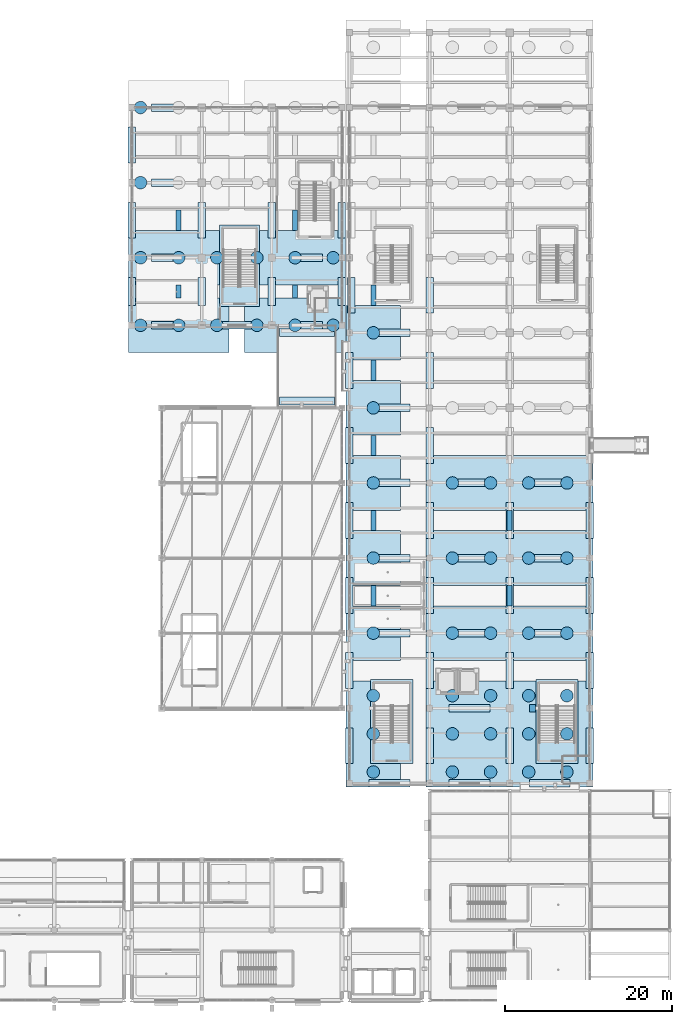
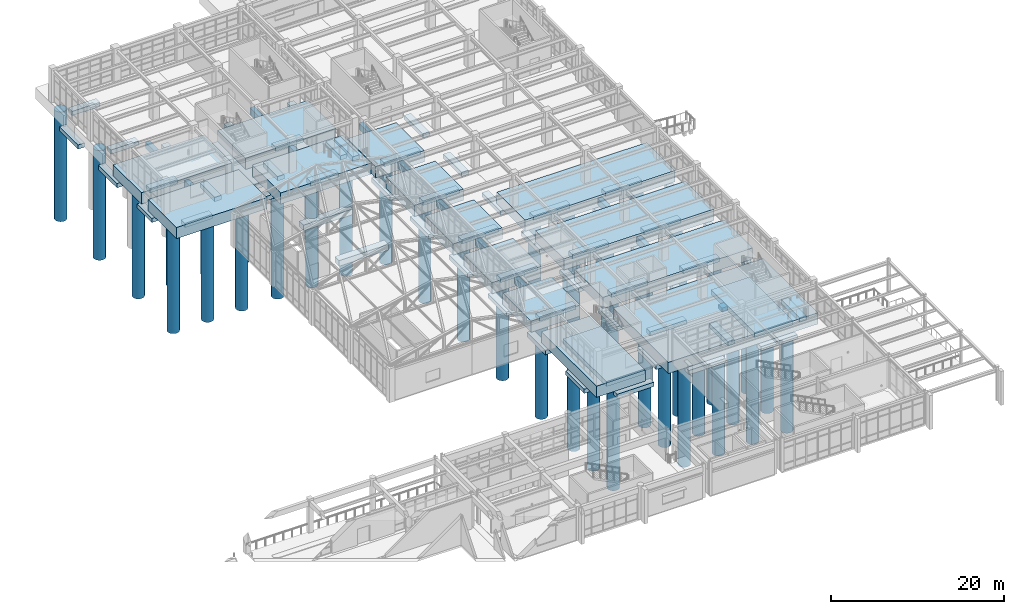
# One storey, part 1 of 139: 84 footings, 46 piles.
"""IFC4 building model written with IfcOpenShell, lengths in metres."""

from ifc_helpers import new_model, si_unit, direction, frame, origin, origin_2d, place, context, subcontext, project, spatial, rectangle, circle, extrude, material, material_profile, profile_set, type_object, element, save


model = new_model("IFC4")

# Units and contexts
model_context = context("Model", 3, precision=1e-05, world=origin(), true_north=direction((0.0, 1.0)))
body_context = subcontext(model_context, "Body", "Model", "MODEL_VIEW")
ifc_project = project(units=[si_unit("LENGTHUNIT", "METRE"), si_unit("AREAUNIT", "SQUARE_METRE"), si_unit("VOLUMEUNIT", "CUBIC_METRE"), si_unit("PLANEANGLEUNIT", "RADIAN"), si_unit("MASSUNIT", "GRAM", prefix="KILO")], contexts=[model_context])

# Site, building, storey
site_placement = place(None, origin())
site = spatial("IfcSite", under=ifc_project, at=site_placement, CompositionType="ELEMENT")
building_placement = place(site_placement, origin())
building = spatial("IfcBuilding", under=site, at=building_placement, Name="Canglan Escarpment Cableway Terminal", CompositionType="ELEMENT")
storey_placement = place(building_placement, frame((0.0, 0.0, 14.39990234375)))
storey = spatial("IfcBuildingStorey", under=building, at=storey_placement, Name="L03", CompositionType="ELEMENT", Elevation=14.39990234375)

# Footings
ifc_material = material(Name="Concrete C40", Category="concrete")
ifc_material_profile_1 = material_profile(ifc_material, rectangle(XDim=0.60009765625, YDim=0.89990234375, at=origin_2d()), Name="FB 600x900")
ifc_profile_set_1 = profile_set([ifc_material_profile_1], Name="Concrete C40")
footing_type_1 = type_object("IfcFootingType", Name="FTG-BEAM-600x900", PredefinedType="FOOTING_BEAM", material=ifc_profile_set_1)
footing_1_placement = place(storey_placement, frame((117.12841796875, 92.178955078125, -0.75), z_axis=(0.0, 1.0, 0.0), x_axis=(-1.0, 0.0, 0.0)))
element("IfcFooting", 1, at=footing_1_placement, inside=storey, type_object=footing_type_1, Name="Reinforced concrete ground tie beam FB-02", PredefinedType="FOOTING_BEAM", context=body_context, shape_type="SweptSolid", body=[
    extrude(rectangle(XDim=0.60009765625, YDim=0.89990234375, at=origin_2d()), origin(), (0.0, 0.0, 1.0), 1.5419921875),
])
footing_2_placement = place(storey_placement, frame((117.12841796875, 100.279052734375, -0.75), z_axis=(0.0, 1.0, 0.0), x_axis=(-1.0, 0.0, 0.0)))
element("IfcFooting", 2, at=footing_2_placement, inside=storey, type_object=footing_type_1, Name="Reinforced concrete ground tie beam FB-02", PredefinedType="FOOTING_BEAM", context=body_context, shape_type="SweptSolid", body=[
    extrude(rectangle(XDim=0.60009765625, YDim=0.89990234375, at=origin_2d()), origin(), (0.0, 0.0, 1.0), 2.44189453125),
])
footing_3_placement = place(storey_placement, frame((131.071533203125, 92.178955078125, -0.75), z_axis=(0.0, 1.0, 0.0), x_axis=(-1.0, 0.0, 0.0)))
element("IfcFooting", 3, at=footing_3_placement, inside=storey, type_object=footing_type_1, Name="Reinforced concrete ground tie beam FB-02", PredefinedType="FOOTING_BEAM", context=body_context, shape_type="SweptSolid", body=[
    extrude(rectangle(XDim=0.60009765625, YDim=0.89990234375, at=origin_2d()), origin(), (0.0, 0.0, 1.0), 1.5419921875),
])
for number, where, z_axis, x_axis, name in (
    (4, (131.071533203125, 100.279052734375, -0.75), (0.0, 1.0, 0.0), (-1.0, 0.0, 0.0), "Reinforced concrete ground tie beam FB-02"),
    (5, (140.45703125, 55.279052734375, -0.75), (0.0, 1.0, 0.0), (-1.0, 0.0, 0.0), "Reinforced concrete ground tie beam FB-02"),
    (6, (140.45703125, 64.279052734375, -0.75), (0.0, 1.0, 0.0), (-1.0, 0.0, 0.0), "Reinforced concrete ground tie beam FB-02"),
    (7, (140.45703125, 73.279052734375, -0.75), (0.0, 1.0, 0.0), (-1.0, 0.0, 0.0), "Reinforced concrete ground tie beam FB-02"),
    (8, (140.45703125, 82.279052734375, -0.75), (0.0, 1.0, 0.0), (-1.0, 0.0, 0.0), "Reinforced concrete ground tie beam FB-02"),
    (9, (140.45703125, 91.279052734375, -0.75), (0.0, 1.0, 0.0), (-1.0, 0.0, 0.0), "Reinforced concrete ground tie beam FB-02"),
    (10, (156.800048828125, 55.279052734375, -0.75), (0.0, 1.0, 0.0), (-1.0, 0.0, 0.0), "Reinforced concrete ground tie beam FB-02"),
    (11, (156.800048828125, 64.279052734375, -0.75), (0.0, 1.0, 0.0), (-1.0, 0.0, 0.0), "Reinforced concrete ground tie beam FB-02"),
):
    element("IfcFooting", number, at=place(storey_placement, frame(where, z_axis=z_axis, x_axis=x_axis)), inside=storey, type_object=footing_type_1, Name=name, PredefinedType="FOOTING_BEAM", context=body_context, shape_type="SweptSolid", body=[
        extrude(rectangle(XDim=0.60009765625, YDim=0.89990234375, at=origin_2d()), origin(), (0.0, 0.0, 1.0), 2.44189453125),
    ])
footing_type_2 = type_object("IfcFootingType", Name="FTG-CAP-12097x6554x1580", PredefinedType="PILE_CAP", material=ifc_material)
for number, where, z_axis, x_axis, name in (
    (12, (117.12841796875, 88.89990234375, -1.579833984375), (0.0, 0.0, 1.0), (1.0, 0.0, 0.0), "Reinforced concrete pile cap PC-10"),
    (13, (117.12841796875, 97.0, -1.579833984375), (0.0, 0.0, 1.0), (1.0, 0.0, 0.0), "Reinforced concrete pile cap PC-10"),
    (14, (131.071533203125, 88.89990234375, -1.579833984375), (0.0, 0.0, 1.0), (1.0, 0.0, 0.0), "Reinforced concrete pile cap PC-10"),
    (15, (131.071533203125, 97.0, -1.579833984375), (0.0, 0.0, 1.0), (1.0, 0.0, 0.0), "Reinforced concrete pile cap PC-10"),
):
    element("IfcFooting", number, at=place(storey_placement, frame(where, z_axis=z_axis, x_axis=x_axis)), inside=storey, type_object=footing_type_2, Name=name, PredefinedType="PILE_CAP", context=body_context, shape_type="SweptSolid", body=[
        extrude(rectangle(XDim=12.096923828125, YDim=6.553955078125, at=origin_2d()), origin(), (0.0, 0.0, 1.0), 1.580078125),
    ])
footing_type_3 = type_object("IfcFootingType", Name="FTG-CAP-20040x12697x1580", PredefinedType="PILE_CAP", material=ifc_material)
footing_4_placement = place(storey_placement, frame((156.800048828125, 39.928466796875, -1.579833984375), z_axis=(0.0, 0.0, 1.0), x_axis=(1.0, 0.0, 0.0)))
element("IfcFooting", 16, at=footing_4_placement, inside=storey, type_object=footing_type_3, Name="Reinforced concrete pile cap PC-13", PredefinedType="PILE_CAP", context=body_context, shape_type="SweptSolid", body=[
    extrude(rectangle(XDim=20.0400390625, YDim=12.697021484375, at=origin_2d()), origin(), (0.0, 0.0, 1.0), 1.580078125),
])
footing_type_4 = type_object("IfcFootingType", Name="FTG-CAP-20040x6554x1580", PredefinedType="PILE_CAP", material=ifc_material)
for number, where, z_axis, x_axis, name in (
    (17, (156.800048828125, 52.0, -1.579833984375), (0.0, 0.0, 1.0), (1.0, 0.0, 0.0), "Reinforced concrete pile cap PC-14"),
    (18, (156.800048828125, 61.0, -1.579833984375), (0.0, 0.0, 1.0), (1.0, 0.0, 0.0), "Reinforced concrete pile cap PC-14"),
    (19, (156.800048828125, 70.0, -1.579833984375), (0.0, 0.0, 1.0), (1.0, 0.0, 0.0), "Reinforced concrete pile cap PC-14"),
):
    element("IfcFooting", number, at=place(storey_placement, frame(where, z_axis=z_axis, x_axis=x_axis)), inside=storey, type_object=footing_type_4, Name=name, PredefinedType="PILE_CAP", context=body_context, shape_type="SweptSolid", body=[
        extrude(rectangle(XDim=20.0400390625, YDim=6.553955078125, at=origin_2d()), origin(), (0.0, 0.0, 1.0), 1.580078125),
    ])
footing_type_5 = type_object("IfcFootingType", Name="FTG-CAP-6554x12697x1580", PredefinedType="PILE_CAP", material=ifc_material)
footing_5_placement = place(storey_placement, frame((140.45703125, 39.928466796875, -1.579833984375), z_axis=(0.0, 0.0, 1.0), x_axis=(1.0, 0.0, 0.0)))
element("IfcFooting", 20, at=footing_5_placement, inside=storey, type_object=footing_type_5, Name="Reinforced concrete pile cap PC-11", PredefinedType="PILE_CAP", context=body_context, shape_type="SweptSolid", body=[
    extrude(rectangle(XDim=6.553955078125, YDim=12.697021484375, at=origin_2d()), origin(), (0.0, 0.0, 1.0), 1.580078125),
])
footing_type_6 = type_object("IfcFootingType", Name="FTG-CAP-6554x6554x1580", PredefinedType="PILE_CAP", material=ifc_material)
for number, where, z_axis, x_axis, name in (
    (21, (140.45703125, 52.0, -1.579833984375), (0.0, 0.0, 1.0), (1.0, 0.0, 0.0), "Reinforced concrete pile cap PC-12"),
    (22, (140.45703125, 61.0, -1.579833984375), (0.0, 0.0, 1.0), (1.0, 0.0, 0.0), "Reinforced concrete pile cap PC-12"),
    (23, (140.45703125, 70.0, -1.579833984375), (0.0, 0.0, 1.0), (1.0, 0.0, 0.0), "Reinforced concrete pile cap PC-12"),
    (24, (140.45703125, 79.0, -1.579833984375), (0.0, 0.0, 1.0), (1.0, 0.0, 0.0), "Reinforced concrete pile cap PC-12"),
    (25, (140.45703125, 88.0, -1.579833984375), (0.0, 0.0, 1.0), (1.0, 0.0, 0.0), "Reinforced concrete pile cap PC-12"),
):
    element("IfcFooting", number, at=place(storey_placement, frame(where, z_axis=z_axis, x_axis=x_axis)), inside=storey, type_object=footing_type_6, Name=name, PredefinedType="PILE_CAP", context=body_context, shape_type="SweptSolid", body=[
        extrude(rectangle(XDim=6.553955078125, YDim=6.553955078125, at=origin_2d()), origin(), (0.0, 0.0, 1.0), 1.580078125),
    ])
footing_type_7 = type_object("IfcFootingType", Name="FTG-PAD-4790x9740x700", PredefinedType="PAD_FOOTING", material=ifc_material)
footing_6_placement = place(storey_placement, frame((124.425048828125, 96.050048828125, -2.7998046875), z_axis=(0.0, 0.0, 1.0), x_axis=(1.0, 0.0, 0.0)))
element("IfcFooting", 26, at=footing_6_placement, inside=storey, type_object=footing_type_7, Name="Reinforced concrete auxiliary pad footing PF-08", PredefinedType="PAD_FOOTING", context=body_context, shape_type="SweptSolid", body=[
    extrude(rectangle(XDim=4.7900390625, YDim=9.739990234375, at=origin_2d()), origin(), (0.0, 0.0, 1.0), 0.699951171875),
])
footing_type_8 = type_object("IfcFootingType", Name="FTG-PAD-5090x10040x700", PredefinedType="PAD_FOOTING", material=ifc_material)
for number, where, z_axis, x_axis, name in (
    (27, (142.675048828125, 41.39990234375, -2.7998046875), (0.0, 0.0, 1.0), (1.0, 0.0, 0.0), "Reinforced concrete auxiliary pad footing PF-10"),
    (28, (162.47509765625, 41.39990234375, -2.7998046875), (0.0, 0.0, 1.0), (1.0, 0.0, 0.0), "Reinforced concrete auxiliary pad footing PF-10"),
):
    element("IfcFooting", number, at=place(storey_placement, frame(where, z_axis=z_axis, x_axis=x_axis)), inside=storey, type_object=footing_type_8, Name=name, PredefinedType="PAD_FOOTING", context=body_context, shape_type="SweptSolid", body=[
        extrude(rectangle(XDim=5.090087890625, YDim=10.0400390625, at=origin_2d()), origin(), (0.0, 0.0, 1.0), 0.699951171875),
    ])
footing_type_9 = type_object("IfcFootingType", Name="FTG-PAD-6600x1000x800", PredefinedType="PAD_FOOTING", material=ifc_material)
for number, where, z_axis, x_axis, name in (
    (29, (132.5, 79.820068359375, -8.0), (0.0, 0.0, 1.0), (1.0, 0.0, 0.0), "Reinforced concrete auxiliary pad footing PF-03"),
    (30, (132.5, 88.080078125, -8.0), (0.0, 0.0, 1.0), (1.0, 0.0, 0.0), "Reinforced concrete auxiliary pad footing PF-03"),
):
    element("IfcFooting", number, at=place(storey_placement, frame(where, z_axis=z_axis, x_axis=x_axis)), inside=storey, type_object=footing_type_9, Name=name, PredefinedType="PAD_FOOTING", context=body_context, shape_type="SweptSolid", body=[
        extrude(rectangle(XDim=6.60009765625, YDim=1.0, at=origin_2d()), origin(), (0.0, 0.0, 1.0), 0.800048828125),
    ])
ifc_material_profile_2 = material_profile(ifc_material, rectangle(XDim=0.89990234375, YDim=0.60009765625, at=origin_2d()), Name="SF 900x600")
ifc_profile_set_2 = profile_set([ifc_material_profile_2], Name="Concrete C40")
footing_type_10 = type_object("IfcFootingType", Name="FTG-STRIP-900x600", PredefinedType="STRIP_FOOTING", material=ifc_profile_set_2)
for number, where, z_axis, x_axis, name in (
    (31, (113.85009765625, 88.89990234375, -2.39990234375), (1.0, 0.0, 0.0), (0.0, 1.0, 0.0), "Bench foundation strip footing SF-F1"),
    (32, (122.25, 88.89990234375, -2.39990234375), (1.0, 0.0, 0.0), (0.0, 1.0, 0.0), "Bench foundation strip footing SF-F1"),
):
    element("IfcFooting", number, at=place(storey_placement, frame(where, z_axis=z_axis, x_axis=x_axis)), inside=storey, type_object=footing_type_10, Name=name, PredefinedType="STRIP_FOOTING", context=body_context, shape_type="SweptSolid", body=[
        extrude(rectangle(XDim=0.89990234375, YDim=0.60009765625, at=origin_2d()), origin(), (0.0, 0.0, 1.0), 3.699951171875),
    ])
footing_7_placement = place(storey_placement, frame((130.64990234375, 88.89990234375, -2.39990234375), z_axis=(1.0, 0.0, 0.0), x_axis=(0.0, 1.0, 0.0)))
element("IfcFooting", 33, at=footing_7_placement, inside=storey, type_object=footing_type_10, Name="Bench foundation strip footing SF-F1", PredefinedType="STRIP_FOOTING", context=body_context, shape_type="SweptSolid", body=[
    extrude(rectangle(XDim=0.89990234375, YDim=0.60009765625, at=origin_2d()), origin(), (0.0, 0.0, 1.0), 3.7001953125),
])
footing_8_placement = place(storey_placement, frame((113.85009765625, 97.0, -2.39990234375), z_axis=(1.0, 0.0, 0.0), x_axis=(0.0, 1.0, 0.0)))
element("IfcFooting", 34, at=footing_8_placement, inside=storey, type_object=footing_type_10, Name="Bench foundation strip footing SF-F1", PredefinedType="STRIP_FOOTING", context=body_context, shape_type="SweptSolid", body=[
    extrude(rectangle(XDim=0.89990234375, YDim=0.60009765625, at=origin_2d()), origin(), (0.0, 0.0, 1.0), 3.699951171875),
])
footing_9_placement = place(storey_placement, frame((130.64990234375, 97.0, -2.39990234375), z_axis=(1.0, 0.0, 0.0), x_axis=(0.0, 1.0, 0.0)))
element("IfcFooting", 35, at=footing_9_placement, inside=storey, type_object=footing_type_10, Name="Bench foundation strip footing SF-F1", PredefinedType="STRIP_FOOTING", context=body_context, shape_type="SweptSolid", body=[
    extrude(rectangle(XDim=0.89990234375, YDim=0.60009765625, at=origin_2d()), origin(), (0.0, 0.0, 1.0), 3.7001953125),
])
for number, where, z_axis, x_axis, name in (
    (36, (113.85009765625, 106.0, -2.39990234375), (1.0, 0.0, 0.0), (0.0, 1.0, 0.0), "Bench foundation strip footing SF-F1"),
    (37, (113.85009765625, 115.0, -2.39990234375), (1.0, 0.0, 0.0), (0.0, 1.0, 0.0), "Bench foundation strip footing SF-F1"),
):
    element("IfcFooting", number, at=place(storey_placement, frame(where, z_axis=z_axis, x_axis=x_axis)), inside=storey, type_object=footing_type_10, Name=name, PredefinedType="STRIP_FOOTING", context=body_context, shape_type="SweptSolid", body=[
        extrude(rectangle(XDim=0.89990234375, YDim=0.60009765625, at=origin_2d()), origin(), (0.0, 0.0, 1.0), 3.699951171875),
    ])
footing_10_placement = place(storey_placement, frame((111.5, 91.25, -2.39990234375), z_axis=(0.0, 1.0, 0.0), x_axis=(-1.0, 0.0, 0.0)))
element("IfcFooting", 38, at=footing_10_placement, inside=storey, type_object=footing_type_10, Name="Bench foundation strip footing SF-F1", PredefinedType="STRIP_FOOTING", context=body_context, shape_type="SweptSolid", body=[
    extrude(rectangle(XDim=0.89990234375, YDim=0.60009765625, at=origin_2d()), origin(), (0.0, 0.0, 1.0), 3.39990234375),
])
for number, where, z_axis, x_axis, name in (
    (39, (111.5, 99.35009765625, -2.39990234375), (0.0, 1.0, 0.0), (-1.0, 0.0, 0.0), "Bench foundation strip footing SF-F1"),
    (40, (111.5, 108.35009765625, -2.39990234375), (0.0, 1.0, 0.0), (-1.0, 0.0, 0.0), "Bench foundation strip footing SF-F1"),
):
    element("IfcFooting", number, at=place(storey_placement, frame(where, z_axis=z_axis, x_axis=x_axis)), inside=storey, type_object=footing_type_10, Name=name, PredefinedType="STRIP_FOOTING", context=body_context, shape_type="SweptSolid", body=[
        extrude(rectangle(XDim=0.89990234375, YDim=0.60009765625, at=origin_2d()), origin(), (0.0, 0.0, 1.0), 4.2998046875),
    ])
footing_11_placement = place(storey_placement, frame((119.89990234375, 91.25, -2.39990234375), z_axis=(0.0, 1.0, 0.0), x_axis=(-1.0, 0.0, 0.0)))
element("IfcFooting", 41, at=footing_11_placement, inside=storey, type_object=footing_type_10, Name="Bench foundation strip footing SF-F1", PredefinedType="STRIP_FOOTING", context=body_context, shape_type="SweptSolid", body=[
    extrude(rectangle(XDim=0.89990234375, YDim=0.60009765625, at=origin_2d()), origin(), (0.0, 0.0, 1.0), 3.39990234375),
])
footing_12_placement = place(storey_placement, frame((119.89990234375, 99.35009765625, -2.39990234375), z_axis=(0.0, 1.0, 0.0), x_axis=(-1.0, 0.0, 0.0)))
element("IfcFooting", 42, at=footing_12_placement, inside=storey, type_object=footing_type_10, Name="Bench foundation strip footing SF-F1", PredefinedType="STRIP_FOOTING", context=body_context, shape_type="SweptSolid", body=[
    extrude(rectangle(XDim=0.89990234375, YDim=0.60009765625, at=origin_2d()), origin(), (0.0, 0.0, 1.0), 4.2998046875),
])
footing_13_placement = place(storey_placement, frame((128.300048828125, 91.25, -2.39990234375), z_axis=(0.0, 1.0, 0.0), x_axis=(-1.0, 0.0, 0.0)))
element("IfcFooting", 43, at=footing_13_placement, inside=storey, type_object=footing_type_10, Name="Bench foundation strip footing SF-F1", PredefinedType="STRIP_FOOTING", context=body_context, shape_type="SweptSolid", body=[
    extrude(rectangle(XDim=0.89990234375, YDim=0.60009765625, at=origin_2d()), origin(), (0.0, 0.0, 1.0), 3.39990234375),
])
footing_14_placement = place(storey_placement, frame((128.300048828125, 99.35009765625, -2.39990234375), z_axis=(0.0, 1.0, 0.0), x_axis=(-1.0, 0.0, 0.0)))
element("IfcFooting", 44, at=footing_14_placement, inside=storey, type_object=footing_type_10, Name="Bench foundation strip footing SF-F1", PredefinedType="STRIP_FOOTING", context=body_context, shape_type="SweptSolid", body=[
    extrude(rectangle(XDim=0.89990234375, YDim=0.60009765625, at=origin_2d()), origin(), (0.0, 0.0, 1.0), 4.2998046875),
])
footing_15_placement = place(storey_placement, frame((136.699951171875, 91.25, -2.39990234375), z_axis=(0.0, 1.0, 0.0), x_axis=(-1.0, 0.0, 0.0)))
element("IfcFooting", 45, at=footing_15_placement, inside=storey, type_object=footing_type_10, Name="Bench foundation strip footing SF-F1", PredefinedType="STRIP_FOOTING", context=body_context, shape_type="SweptSolid", body=[
    extrude(rectangle(XDim=0.89990234375, YDim=0.60009765625, at=origin_2d()), origin(), (0.0, 0.0, 1.0), 3.39990234375),
])
footing_16_placement = place(storey_placement, frame((136.699951171875, 99.35009765625, -2.39990234375), z_axis=(0.0, 1.0, 0.0), x_axis=(-1.0, 0.0, 0.0)))
element("IfcFooting", 46, at=footing_16_placement, inside=storey, type_object=footing_type_10, Name="Bench foundation strip footing SF-F1", PredefinedType="STRIP_FOOTING", context=body_context, shape_type="SweptSolid", body=[
    extrude(rectangle(XDim=0.89990234375, YDim=0.60009765625, at=origin_2d()), origin(), (0.0, 0.0, 1.0), 4.2998046875),
])
footing_17_placement = place(storey_placement, frame((139.949951171875, 34.0, -2.39990234375), z_axis=(1.0, 0.0, 0.0), x_axis=(0.0, 1.0, 0.0)))
element("IfcFooting", 47, at=footing_17_placement, inside=storey, type_object=footing_type_10, Name="Bench foundation strip footing SF-F1", PredefinedType="STRIP_FOOTING", context=body_context, shape_type="SweptSolid", body=[
    extrude(rectangle(XDim=0.89990234375, YDim=0.60009765625, at=origin_2d()), origin(), (0.0, 0.0, 1.0), 4.900146484375),
])
footing_18_placement = place(storey_placement, frame((149.550048828125, 34.0, -2.39990234375), z_axis=(1.0, 0.0, 0.0), x_axis=(0.0, 1.0, 0.0)))
element("IfcFooting", 48, at=footing_18_placement, inside=storey, type_object=footing_type_10, Name="Bench foundation strip footing SF-F1", PredefinedType="STRIP_FOOTING", context=body_context, shape_type="SweptSolid", body=[
    extrude(rectangle(XDim=0.89990234375, YDim=0.60009765625, at=origin_2d()), origin(), (0.0, 0.0, 1.0), 4.89990234375),
])
footing_19_placement = place(storey_placement, frame((159.14990234375, 34.0, -2.39990234375), z_axis=(1.0, 0.0, 0.0), x_axis=(0.0, 1.0, 0.0)))
element("IfcFooting", 49, at=footing_19_placement, inside=storey, type_object=footing_type_10, Name="Bench foundation strip footing SF-F1", PredefinedType="STRIP_FOOTING", context=body_context, shape_type="SweptSolid", body=[
    extrude(rectangle(XDim=0.89990234375, YDim=0.60009765625, at=origin_2d()), origin(), (0.0, 0.0, 1.0), 4.900146484375),
])
footing_20_placement = place(storey_placement, frame((149.550048828125, 43.0, -2.39990234375), z_axis=(1.0, 0.0, 0.0), x_axis=(0.0, 1.0, 0.0)))
element("IfcFooting", 50, at=footing_20_placement, inside=storey, type_object=footing_type_10, Name="Bench foundation strip footing SF-F1", PredefinedType="STRIP_FOOTING", context=body_context, shape_type="SweptSolid", body=[
    extrude(rectangle(XDim=0.89990234375, YDim=0.60009765625, at=origin_2d()), origin(), (0.0, 0.0, 1.0), 4.89990234375),
])
footing_21_placement = place(storey_placement, frame((159.14990234375, 43.0, -2.39990234375), z_axis=(1.0, 0.0, 0.0), x_axis=(0.0, 1.0, 0.0)))
element("IfcFooting", 51, at=footing_21_placement, inside=storey, type_object=footing_type_10, Name="Bench foundation strip footing SF-F1", PredefinedType="STRIP_FOOTING", context=body_context, shape_type="SweptSolid", body=[
    extrude(rectangle(XDim=0.89990234375, YDim=0.60009765625, at=origin_2d()), origin(), (0.0, 0.0, 1.0), 0.77001953125),
])
footing_22_placement = place(storey_placement, frame((139.949951171875, 52.0, -2.39990234375), z_axis=(1.0, 0.0, 0.0), x_axis=(0.0, 1.0, 0.0)))
element("IfcFooting", 52, at=footing_22_placement, inside=storey, type_object=footing_type_10, Name="Bench foundation strip footing SF-F1", PredefinedType="STRIP_FOOTING", context=body_context, shape_type="SweptSolid", body=[
    extrude(rectangle(XDim=0.89990234375, YDim=0.60009765625, at=origin_2d()), origin(), (0.0, 0.0, 1.0), 4.900146484375),
])
footing_23_placement = place(storey_placement, frame((149.550048828125, 52.0, -2.39990234375), z_axis=(1.0, 0.0, 0.0), x_axis=(0.0, 1.0, 0.0)))
element("IfcFooting", 53, at=footing_23_placement, inside=storey, type_object=footing_type_10, Name="Bench foundation strip footing SF-F1", PredefinedType="STRIP_FOOTING", context=body_context, shape_type="SweptSolid", body=[
    extrude(rectangle(XDim=0.89990234375, YDim=0.60009765625, at=origin_2d()), origin(), (0.0, 0.0, 1.0), 4.89990234375),
])
for number, where, z_axis, x_axis, name in (
    (54, (159.14990234375, 52.0, -2.39990234375), (1.0, 0.0, 0.0), (0.0, 1.0, 0.0), "Bench foundation strip footing SF-F1"),
    (55, (139.949951171875, 61.0, -2.39990234375), (1.0, 0.0, 0.0), (0.0, 1.0, 0.0), "Bench foundation strip footing SF-F1"),
):
    element("IfcFooting", number, at=place(storey_placement, frame(where, z_axis=z_axis, x_axis=x_axis)), inside=storey, type_object=footing_type_10, Name=name, PredefinedType="STRIP_FOOTING", context=body_context, shape_type="SweptSolid", body=[
        extrude(rectangle(XDim=0.89990234375, YDim=0.60009765625, at=origin_2d()), origin(), (0.0, 0.0, 1.0), 4.900146484375),
    ])
footing_24_placement = place(storey_placement, frame((149.550048828125, 61.0, -2.39990234375), z_axis=(1.0, 0.0, 0.0), x_axis=(0.0, 1.0, 0.0)))
element("IfcFooting", 56, at=footing_24_placement, inside=storey, type_object=footing_type_10, Name="Bench foundation strip footing SF-F1", PredefinedType="STRIP_FOOTING", context=body_context, shape_type="SweptSolid", body=[
    extrude(rectangle(XDim=0.89990234375, YDim=0.60009765625, at=origin_2d()), origin(), (0.0, 0.0, 1.0), 4.89990234375),
])
for number, where, z_axis, x_axis, name in (
    (57, (159.14990234375, 61.0, -2.39990234375), (1.0, 0.0, 0.0), (0.0, 1.0, 0.0), "Bench foundation strip footing SF-F1"),
    (58, (139.949951171875, 70.0, -2.39990234375), (1.0, 0.0, 0.0), (0.0, 1.0, 0.0), "Bench foundation strip footing SF-F1"),
):
    element("IfcFooting", number, at=place(storey_placement, frame(where, z_axis=z_axis, x_axis=x_axis)), inside=storey, type_object=footing_type_10, Name=name, PredefinedType="STRIP_FOOTING", context=body_context, shape_type="SweptSolid", body=[
        extrude(rectangle(XDim=0.89990234375, YDim=0.60009765625, at=origin_2d()), origin(), (0.0, 0.0, 1.0), 4.900146484375),
    ])
footing_25_placement = place(storey_placement, frame((149.550048828125, 70.0, -2.39990234375), z_axis=(1.0, 0.0, 0.0), x_axis=(0.0, 1.0, 0.0)))
element("IfcFooting", 59, at=footing_25_placement, inside=storey, type_object=footing_type_10, Name="Bench foundation strip footing SF-F1", PredefinedType="STRIP_FOOTING", context=body_context, shape_type="SweptSolid", body=[
    extrude(rectangle(XDim=0.89990234375, YDim=0.60009765625, at=origin_2d()), origin(), (0.0, 0.0, 1.0), 4.89990234375),
])
for number, where, z_axis, x_axis, name in (
    (60, (159.14990234375, 70.0, -2.39990234375), (1.0, 0.0, 0.0), (0.0, 1.0, 0.0), "Bench foundation strip footing SF-F1"),
    (61, (139.949951171875, 79.0, -2.39990234375), (1.0, 0.0, 0.0), (0.0, 1.0, 0.0), "Bench foundation strip footing SF-F1"),
    (62, (139.949951171875, 88.0, -2.39990234375), (1.0, 0.0, 0.0), (0.0, 1.0, 0.0), "Bench foundation strip footing SF-F1"),
):
    element("IfcFooting", number, at=place(storey_placement, frame(where, z_axis=z_axis, x_axis=x_axis)), inside=storey, type_object=footing_type_10, Name=name, PredefinedType="STRIP_FOOTING", context=body_context, shape_type="SweptSolid", body=[
        extrude(rectangle(XDim=0.89990234375, YDim=0.60009765625, at=origin_2d()), origin(), (0.0, 0.0, 1.0), 4.900146484375),
    ])
for number, where, z_axis, x_axis, name in (
    (63, (137.60009765625, 36.35009765625, -2.39990234375), (0.0, 1.0, 0.0), (-1.0, 0.0, 0.0), "Bench foundation strip footing SF-F1"),
    (64, (137.60009765625, 45.35009765625, -2.39990234375), (0.0, 1.0, 0.0), (-1.0, 0.0, 0.0), "Bench foundation strip footing SF-F1"),
    (65, (137.60009765625, 54.35009765625, -2.39990234375), (0.0, 1.0, 0.0), (-1.0, 0.0, 0.0), "Bench foundation strip footing SF-F1"),
    (66, (137.60009765625, 63.35009765625, -2.39990234375), (0.0, 1.0, 0.0), (-1.0, 0.0, 0.0), "Bench foundation strip footing SF-F1"),
    (67, (137.60009765625, 72.35009765625, -2.39990234375), (0.0, 1.0, 0.0), (-1.0, 0.0, 0.0), "Bench foundation strip footing SF-F1"),
    (68, (137.60009765625, 81.35009765625, -2.39990234375), (0.0, 1.0, 0.0), (-1.0, 0.0, 0.0), "Bench foundation strip footing SF-F1"),
    (69, (137.820068359375, 90.35009765625, -2.39990234375), (0.0, 1.0, 0.0), (-1.0, 0.0, 0.0), "Bench foundation strip footing SF-F1"),
    (70, (147.199951171875, 36.35009765625, -2.39990234375), (0.0, 1.0, 0.0), (-1.0, 0.0, 0.0), "Bench foundation strip footing SF-F1"),
    (71, (147.199951171875, 45.35009765625, -2.39990234375), (0.0, 1.0, 0.0), (-1.0, 0.0, 0.0), "Bench foundation strip footing SF-F1"),
    (72, (147.199951171875, 54.35009765625, -2.39990234375), (0.0, 1.0, 0.0), (-1.0, 0.0, 0.0), "Bench foundation strip footing SF-F1"),
    (73, (147.199951171875, 63.35009765625, -2.39990234375), (0.0, 1.0, 0.0), (-1.0, 0.0, 0.0), "Bench foundation strip footing SF-F1"),
    (74, (147.199951171875, 72.35009765625, -2.39990234375), (0.0, 1.0, 0.0), (-1.0, 0.0, 0.0), "Bench foundation strip footing SF-F1"),
    (75, (147.199951171875, 81.35009765625, -2.39990234375), (0.0, 1.0, 0.0), (-1.0, 0.0, 0.0), "Bench foundation strip footing SF-F1"),
    (76, (147.199951171875, 90.35009765625, -2.39990234375), (0.0, 1.0, 0.0), (-1.0, 0.0, 0.0), "Bench foundation strip footing SF-F1"),
    (77, (156.800048828125, 36.35009765625, -2.39990234375), (0.0, 1.0, 0.0), (-1.0, 0.0, 0.0), "Bench foundation strip footing SF-F1"),
    (78, (156.800048828125, 45.35009765625, -2.39990234375), (0.0, 1.0, 0.0), (-1.0, 0.0, 0.0), "Bench foundation strip footing SF-F1"),
    (79, (156.800048828125, 54.35009765625, -2.39990234375), (0.0, 1.0, 0.0), (-1.0, 0.0, 0.0), "Bench foundation strip footing SF-F1"),
    (80, (156.800048828125, 63.35009765625, -2.39990234375), (0.0, 1.0, 0.0), (-1.0, 0.0, 0.0), "Bench foundation strip footing SF-F1"),
    (81, (166.39990234375, 36.35009765625, -2.39990234375), (0.0, 1.0, 0.0), (-1.0, 0.0, 0.0), "Bench foundation strip footing SF-F1"),
    (82, (166.39990234375, 45.35009765625, -2.39990234375), (0.0, 1.0, 0.0), (-1.0, 0.0, 0.0), "Bench foundation strip footing SF-F1"),
    (83, (166.39990234375, 54.35009765625, -2.39990234375), (0.0, 1.0, 0.0), (-1.0, 0.0, 0.0), "Bench foundation strip footing SF-F1"),
    (84, (166.39990234375, 63.35009765625, -2.39990234375), (0.0, 1.0, 0.0), (-1.0, 0.0, 0.0), "Bench foundation strip footing SF-F1"),
):
    element("IfcFooting", number, at=place(storey_placement, frame(where, z_axis=z_axis, x_axis=x_axis)), inside=storey, type_object=footing_type_10, Name=name, PredefinedType="STRIP_FOOTING", context=body_context, shape_type="SweptSolid", body=[
        extrude(rectangle(XDim=0.89990234375, YDim=0.60009765625, at=origin_2d()), origin(), (0.0, 0.0, 1.0), 4.2998046875),
    ])

# Piles
ifc_material_profile_3 = material_profile(ifc_material, circle(Radius=0.75, at=origin_2d()), Name="BORED PILE D1500")
ifc_profile_set_3 = profile_set([ifc_material_profile_3], Name="Concrete C40")
pile_type = type_object("IfcPileType", Name="PILE-D1500", PredefinedType="BORED", material=ifc_profile_set_3)
for number, where, z_axis, x_axis, name in (
    (85, (112.553466796875, 88.89990234375, -1.47998046875), (0.0, 0.0, -1.0), (1.0, 0.0, 0.0), "Rock-socketed bored pile P-05"),
    (86, (117.12841796875, 88.89990234375, -1.47998046875), (0.0, 0.0, -1.0), (1.0, 0.0, 0.0), "Rock-socketed bored pile P-05"),
    (87, (121.70361328125, 88.89990234375, -1.47998046875), (0.0, 0.0, -1.0), (1.0, 0.0, 0.0), "Rock-socketed bored pile P-05"),
    (88, (112.553466796875, 97.0, -1.47998046875), (0.0, 0.0, -1.0), (1.0, 0.0, 0.0), "Rock-socketed bored pile P-05"),
    (89, (117.12841796875, 97.0, -1.47998046875), (0.0, 0.0, -1.0), (1.0, 0.0, 0.0), "Rock-socketed bored pile P-05"),
    (90, (121.70361328125, 97.0, -1.47998046875), (0.0, 0.0, -1.0), (1.0, 0.0, 0.0), "Rock-socketed bored pile P-05"),
    (91, (112.553466796875, 106.0, -1.47998046875), (0.0, 0.0, -1.0), (1.0, 0.0, 0.0), "Rock-socketed bored pile P-05"),
    (92, (112.553466796875, 115.0, -1.47998046875), (0.0, 0.0, -1.0), (1.0, 0.0, 0.0), "Rock-socketed bored pile P-05"),
    (93, (126.49658203125, 88.89990234375, -1.47998046875), (0.0, 0.0, -1.0), (1.0, 0.0, 0.0), "Rock-socketed bored pile P-05"),
    (94, (131.071533203125, 88.89990234375, -1.47998046875), (0.0, 0.0, -1.0), (1.0, 0.0, 0.0), "Rock-socketed bored pile P-05"),
    (95, (135.646484375, 88.89990234375, -1.47998046875), (0.0, 0.0, -1.0), (1.0, 0.0, 0.0), "Rock-socketed bored pile P-05"),
    (96, (126.49658203125, 97.0, -1.47998046875), (0.0, 0.0, -1.0), (1.0, 0.0, 0.0), "Rock-socketed bored pile P-05"),
    (97, (131.071533203125, 97.0, -1.47998046875), (0.0, 0.0, -1.0), (1.0, 0.0, 0.0), "Rock-socketed bored pile P-05"),
    (98, (135.646484375, 97.0, -1.47998046875), (0.0, 0.0, -1.0), (1.0, 0.0, 0.0), "Rock-socketed bored pile P-05"),
):
    element("IfcPile", number, at=place(storey_placement, frame(where, z_axis=z_axis, x_axis=x_axis)), inside=storey, type_object=pile_type, Name=name, PredefinedType="BORED", context=body_context, shape_type="SweptSolid", body=[
        extrude(circle(Radius=0.75, at=origin_2d()), origin(), (0.0, 0.0, 1.0), 15.5),
    ])
for number, where, z_axis, x_axis, name in (
    (99, (140.45703125, 35.353515625, -1.47998046875), (0.0, 0.0, -1.0), (1.0, 0.0, 0.0), "Rock-socketed bored pile P-05"),
    (100, (140.45703125, 39.928466796875, -1.47998046875), (0.0, 0.0, -1.0), (1.0, 0.0, 0.0), "Rock-socketed bored pile P-05"),
    (101, (140.45703125, 44.50341796875, -1.47998046875), (0.0, 0.0, -1.0), (1.0, 0.0, 0.0), "Rock-socketed bored pile P-05"),
    (102, (140.45703125, 52.0, -1.47998046875), (0.0, 0.0, -1.0), (1.0, 0.0, 0.0), "Rock-socketed bored pile P-05"),
    (103, (140.45703125, 61.0, -1.47998046875), (0.0, 0.0, -1.0), (1.0, 0.0, 0.0), "Rock-socketed bored pile P-05"),
    (104, (140.45703125, 70.0, -1.47998046875), (0.0, 0.0, -1.0), (1.0, 0.0, 0.0), "Rock-socketed bored pile P-05"),
    (105, (140.45703125, 79.0, -1.47998046875), (0.0, 0.0, -1.0), (1.0, 0.0, 0.0), "Rock-socketed bored pile P-05"),
    (106, (140.45703125, 88.0, -1.47998046875), (0.0, 0.0, -1.0), (1.0, 0.0, 0.0), "Rock-socketed bored pile P-05"),
    (107, (149.9375, 35.353515625, -1.47998046875), (0.0, 0.0, -1.0), (1.0, 0.0, 0.0), "Rock-socketed bored pile P-05"),
    (108, (149.9375, 39.928466796875, -1.47998046875), (0.0, 0.0, -1.0), (1.0, 0.0, 0.0), "Rock-socketed bored pile P-05"),
    (109, (149.9375, 44.50341796875, -1.47998046875), (0.0, 0.0, -1.0), (1.0, 0.0, 0.0), "Rock-socketed bored pile P-05"),
    (110, (154.512451171875, 35.353515625, -1.47998046875), (0.0, 0.0, -1.0), (1.0, 0.0, 0.0), "Rock-socketed bored pile P-05"),
    (111, (154.512451171875, 39.928466796875, -1.47998046875), (0.0, 0.0, -1.0), (1.0, 0.0, 0.0), "Rock-socketed bored pile P-05"),
    (112, (154.512451171875, 44.50341796875, -1.47998046875), (0.0, 0.0, -1.0), (1.0, 0.0, 0.0), "Rock-socketed bored pile P-05"),
    (113, (159.08740234375, 35.353515625, -1.47998046875), (0.0, 0.0, -1.0), (1.0, 0.0, 0.0), "Rock-socketed bored pile P-05"),
    (114, (159.08740234375, 39.928466796875, -1.47998046875), (0.0, 0.0, -1.0), (1.0, 0.0, 0.0), "Rock-socketed bored pile P-05"),
    (115, (159.08740234375, 44.50341796875, -1.47998046875), (0.0, 0.0, -1.0), (1.0, 0.0, 0.0), "Rock-socketed bored pile P-05"),
    (116, (163.66259765625, 35.353515625, -1.47998046875), (0.0, 0.0, -1.0), (1.0, 0.0, 0.0), "Rock-socketed bored pile P-05"),
    (117, (163.66259765625, 39.928466796875, -1.47998046875), (0.0, 0.0, -1.0), (1.0, 0.0, 0.0), "Rock-socketed bored pile P-05"),
    (118, (163.66259765625, 44.50341796875, -1.47998046875), (0.0, 0.0, -1.0), (1.0, 0.0, 0.0), "Rock-socketed bored pile P-05"),
    (119, (149.9375, 52.0, -1.47998046875), (0.0, 0.0, -1.0), (1.0, 0.0, 0.0), "Rock-socketed bored pile P-05"),
    (120, (154.512451171875, 52.0, -1.47998046875), (0.0, 0.0, -1.0), (1.0, 0.0, 0.0), "Rock-socketed bored pile P-05"),
    (121, (159.08740234375, 52.0, -1.47998046875), (0.0, 0.0, -1.0), (1.0, 0.0, 0.0), "Rock-socketed bored pile P-05"),
    (122, (163.66259765625, 52.0, -1.47998046875), (0.0, 0.0, -1.0), (1.0, 0.0, 0.0), "Rock-socketed bored pile P-05"),
    (123, (149.9375, 61.0, -1.47998046875), (0.0, 0.0, -1.0), (1.0, 0.0, 0.0), "Rock-socketed bored pile P-05"),
    (124, (154.512451171875, 61.0, -1.47998046875), (0.0, 0.0, -1.0), (1.0, 0.0, 0.0), "Rock-socketed bored pile P-05"),
    (125, (159.08740234375, 61.0, -1.47998046875), (0.0, 0.0, -1.0), (1.0, 0.0, 0.0), "Rock-socketed bored pile P-05"),
    (126, (163.66259765625, 61.0, -1.47998046875), (0.0, 0.0, -1.0), (1.0, 0.0, 0.0), "Rock-socketed bored pile P-05"),
    (127, (149.9375, 70.0, -1.47998046875), (0.0, 0.0, -1.0), (1.0, 0.0, 0.0), "Rock-socketed bored pile P-05"),
    (128, (154.512451171875, 70.0, -1.47998046875), (0.0, 0.0, -1.0), (1.0, 0.0, 0.0), "Rock-socketed bored pile P-05"),
    (129, (159.08740234375, 70.0, -1.47998046875), (0.0, 0.0, -1.0), (1.0, 0.0, 0.0), "Rock-socketed bored pile P-05"),
    (130, (163.66259765625, 70.0, -1.47998046875), (0.0, 0.0, -1.0), (1.0, 0.0, 0.0), "Rock-socketed bored pile P-05"),
):
    element("IfcPile", number, at=place(storey_placement, frame(where, z_axis=z_axis, x_axis=x_axis)), inside=storey, type_object=pile_type, Name=name, PredefinedType="BORED", context=body_context, shape_type="SweptSolid", body=[
        extrude(circle(Radius=0.75, at=origin_2d()), origin(), (0.0, 0.0, 1.0), 15.0),
    ])

save(model, "model.ifc")
